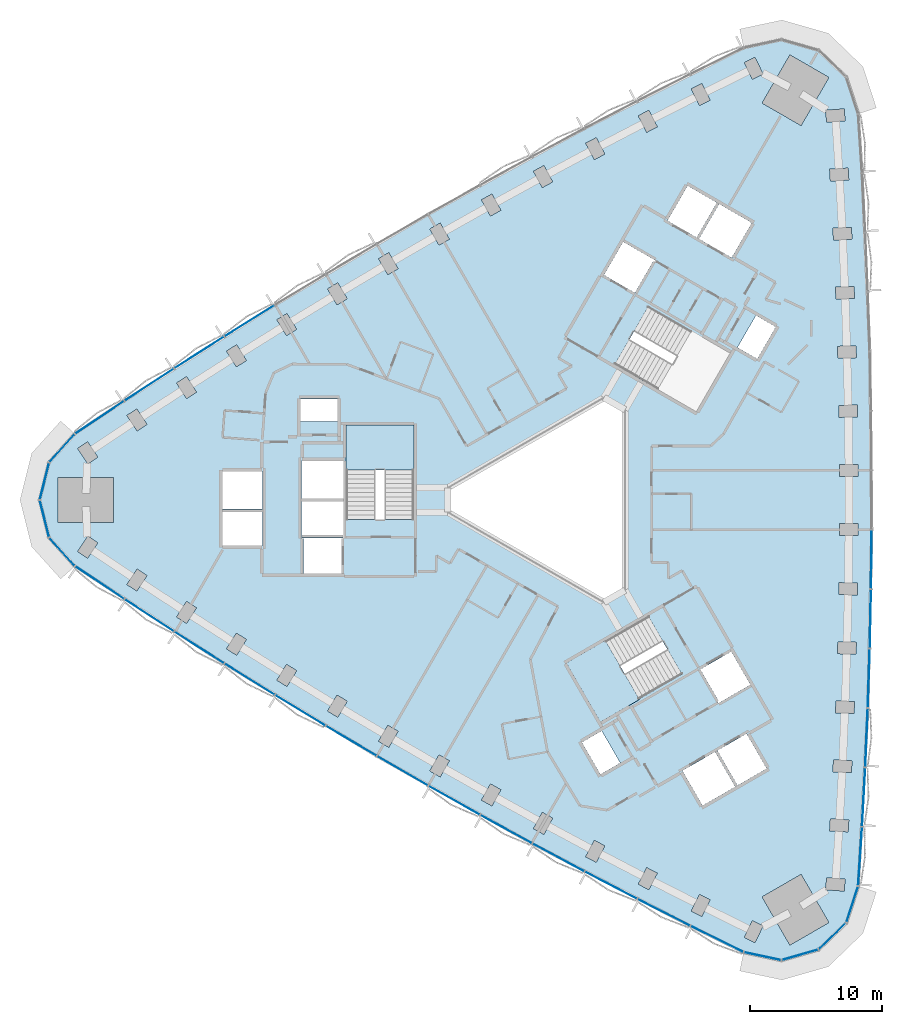
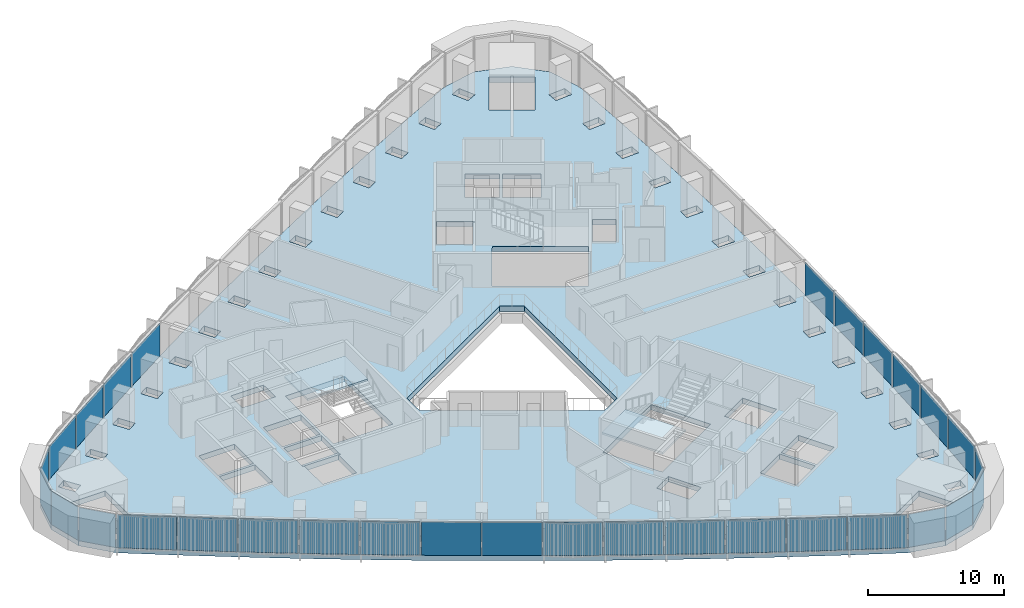
# One storey, part 6 of 15: 31 plates, 3 slabs, 5 elements without a shape of their own.
"""IFC4 building model written with IfcOpenShell, lengths in metres."""

from ifc_helpers import new_model, si_unit, direction, frame, origin, origin_2d, place, context, subcontext, project, spatial, polyline, rectangle, outline, extrude, material, layer, layer_set, type_object, element, aggregate, save


model = new_model("IFC4")

# Units and contexts
model_context = context("Model", 3, precision=1e-05, world=origin(), true_north=direction((0.0, 1.0)))
body_context = subcontext(model_context, "Body", "Model", "MODEL_VIEW")
ifc_project = project(units=[si_unit("LENGTHUNIT", "METRE"), si_unit("AREAUNIT", "SQUARE_METRE"), si_unit("VOLUMEUNIT", "CUBIC_METRE"), si_unit("PLANEANGLEUNIT", "RADIAN"), si_unit("MASSUNIT", "GRAM", prefix="KILO")], contexts=[model_context])

# Site, building, storey
site_placement = place(None, origin())
site = spatial("IfcSite", under=ifc_project, at=site_placement, CompositionType="ELEMENT")
building_placement = place(site_placement, origin())
building = spatial("IfcBuilding", under=site, at=building_placement, Name="Tamra Quay Hotel Tower", CompositionType="ELEMENT")
storey_placement = place(building_placement, frame((0.0, 0.0, 42.199951171875)))
storey = spatial("IfcBuildingStorey", under=building, at=storey_placement, Name="L08", CompositionType="ELEMENT", Elevation=42.199951171875)

# Stair, slab
ifc_material_1 = material(Name="Exit stair 2200 24 risers 150.0 going 342")
stair_type = type_object("IfcStairType", Name="Exit stair 2200 24 risers 150.0 going 342", PredefinedType="HALF_TURN_STAIR", material=ifc_material_1)
stair_1_placement = place(storey_placement, origin())
stair_1 = element("IfcStair", 1, at=stair_1_placement, inside=storey, type_object=stair_type, Name="L08 Exit stair ST3", PredefinedType="HALF_TURN_STAIR")
ifc_material_2 = material(Name="Concrete M70", Category="concrete")
ifc_layer_1 = layer(ifc_material_2, 0.175048828125)
ifc_layer_set_1 = layer_set([ifc_layer_1], Name="Concrete M70 stair landing 180")
slab_type_1 = type_object("IfcSlabType", Name="Concrete M70 stair landing 180", PredefinedType="LANDING", material=ifc_layer_set_1)
slab_1_placement = place(storey_placement, frame((0.0, 0.0, 1.625)))
slab_1 = element("IfcSlab", 2, at=slab_1_placement, type_object=slab_type_1, Name="ST3 landing 1", PredefinedType="LANDING", context=body_context, shape_type="SweptSolid", body=[
    extrude(outline(polyline([(-10.932373046875, 2.261962890625), (-10.932373046875, 5.679931640625), (-16.09130859375, 5.679931640625), (-16.09130859375, 2.261962890625), (-10.932373046875, 2.261962890625)])), origin(), (0.0, 0.0, 1.0), 0.175048828125),
])
aggregate(stair_1, [slab_1])

stair_2_placement = place(storey_placement, origin())
stair_2 = element("IfcStair", 3, at=stair_2_placement, inside=storey, type_object=stair_type, Name="L08 Exit stair ST2", PredefinedType="HALF_TURN_STAIR")
slab_2_placement = place(storey_placement, frame((0.0, 0.0, 1.625)))
slab_2 = element("IfcSlab", 4, at=slab_2_placement, type_object=slab_type_1, Name="ST2 landing 1", PredefinedType="LANDING", context=body_context, shape_type="SweptSolid", body=[
    extrude(outline(polyline([(3.50732421875, -10.5986328125), (0.547119140625, -12.3076171875), (3.126708984375, -16.775390625), (6.086669921875, -15.06640625), (3.50732421875, -10.5986328125)])), origin(), (0.0, 0.0, 1.0), 0.175048828125),
])
aggregate(stair_2, [slab_2])

# Slab
ifc_material_3 = material(Name="Concrete M60", Category="concrete")
ifc_layer_2 = layer(ifc_material_3, 0.47509765625)
ifc_layer_set_2 = layer_set([ifc_layer_2], Name="FLOOR SLAB PT 475")
slab_type_2 = type_object("IfcSlabType", Name="FLOOR SLAB PT 475", PredefinedType="FLOOR", material=ifc_layer_set_2)
slab_3_placement = place(storey_placement, frame((0.0, 0.0, -0.474853515625)))
element("IfcSlab", 5, at=slab_3_placement, inside=storey, type_object=slab_type_2, Name="SLAB-L08", PredefinedType="FLOOR", context=body_context, shape_type="SweptSolid", body=[
    extrude(outline(polyline([(22.8896484375, 24.67529296875), (23.13232421875, 20.1923828125), (23.32666015625, 15.707763671875), (23.472412109375, 11.221435546875), (23.569580078125, 6.73291015625), (23.618408203125, 2.244384765625), (23.618408203125, -2.244384765625), (23.569580078125, -6.73291015625), (23.472412109375, -11.221435546875), (23.32666015625, -15.707763671875), (23.13232421875, -20.1923828125), (22.8896484375, -24.67529296875), (22.598876953125, -29.154296875), (21.697998046875, -31.926025390625), (19.601318359375, -33.95068359375), (16.7998046875, -34.754150390625), (13.948974609375, -34.148193359375), (9.9248046875, -32.16064453125), (5.9208984375, -30.12939453125), (1.93994140625, -28.055419921875), (-2.018310546875, -25.9384765625), (-5.9541015625, -23.7783203125), (-9.865478515625, -21.576171875), (-13.752685546875, -19.331787109375), (-17.61572265625, -17.04541015625), (-21.454345703125, -14.717041015625), (-25.2666015625, -12.34765625), (-29.05322265625, -9.93701171875), (-32.814208984375, -7.4853515625), (-36.547607421875, -4.993896484375), (-38.497802734375, -2.827880859375), (-39.202880859375, 0.0), (-38.497802734375, 2.827880859375), (-36.547607421875, 4.993896484375), (-32.814208984375, 7.4853515625), (-29.05322265625, 9.93701171875), (-25.2666015625, 12.34765625), (-21.454345703125, 14.717041015625), (-17.61572265625, 17.04541015625), (-13.752685546875, 19.331787109375), (-9.865478515625, 21.576171875), (-5.9541015625, 23.7783203125), (-2.018310546875, 25.9384765625), (1.93994140625, 28.055419921875), (5.9208984375, 30.12939453125), (9.9248046875, 32.16064453125), (13.948974609375, 34.148193359375), (16.7998046875, 34.754150390625), (19.601318359375, 33.95068359375), (21.697998046875, 31.926025390625), (22.598876953125, 29.154296875), (22.8896484375, 24.67529296875)]), holes=[polyline([(-17.475830078125, -15.935791015625), (-16.70361328125, -16.39794921875), (-15.984375, -15.19677734375), (-16.756591796875, -14.734619140625), (-17.475830078125, -15.935791015625)]), polyline([(-20.56884765625, -12.416015625), (-21.3017578125, -13.60888671875), (-20.534912109375, -14.080078125), (-19.802001953125, -12.88720703125), (-20.56884765625, -12.416015625)]), polyline([(-24.357177734375, -10.05615234375), (-25.102294921875, -11.2412109375), (-24.340576171875, -11.72021484375), (-23.59521484375, -10.53515625), (-24.357177734375, -10.05615234375)]), polyline([(-28.11962890625, -7.6552734375), (-28.87744140625, -8.83251953125), (-28.12060546875, -9.319580078125), (-27.36279296875, -8.142578125), (-28.11962890625, -7.6552734375)]), polyline([(-31.854736328125, -5.21435546875), (-32.6259765625, -6.3828125), (-31.874755859375, -6.878662109375), (-31.103515625, -5.710205078125), (-31.854736328125, -5.21435546875)]), polyline([(-16.3173828125, -2.85498046875), (-19.4072265625, -2.85498046875), (-19.4072265625, -2.89306640625), (-19.307373046875, -2.89306640625), (-19.307373046875, -5.544921875), (-16.417236328125, -5.544921875), (-16.417236328125, -2.89306640625), (-16.3173828125, -2.89306640625), (-16.3173828125, -2.85498046875)]), polyline([(-35.565185546875, -2.73291015625), (-36.347900390625, -3.8935546875), (-35.601806640625, -4.396728515625), (-34.819091796875, -3.236083984375), (-35.565185546875, -2.73291015625)]), polyline([(-22.3671875, -3.445068359375), (-22.3671875, -0.905029296875), (-25.4072265625, -0.905029296875), (-25.4072265625, -3.445068359375), (-22.3671875, -3.445068359375)]), polyline([(-19.417236328125, -2.89306640625), (-19.417236328125, -2.64501953125), (-16.307373046875, -2.64501953125), (-16.307373046875, -2.89306640625), (-16.26708984375, -2.89306640625), (-16.26708984375, -0.10498046875), (-19.45751953125, -0.10498046875), (-19.45751953125, -2.89306640625), (-19.417236328125, -2.89306640625)]), polyline([(-33.62890625, 1.699951171875), (-37.828857421875, 1.699951171875), (-37.828857421875, -1.699951171875), (-33.62890625, -1.699951171875), (-33.62890625, 1.699951171875)]), polyline([(-25.4072265625, -0.695068359375), (-22.3671875, -0.695068359375), (-22.3671875, 2.14501953125), (-25.4072265625, 2.14501953125), (-25.4072265625, -0.695068359375)]), polyline([(-19.45751953125, 0.10498046875), (-16.26708984375, 0.10498046875), (-16.26708984375, 2.945068359375), (-19.45751953125, 2.945068359375), (-19.45751953125, 0.10498046875)]), polyline([(-16.036376953125, -1.455078125), (-10.9873046875, -1.455078125), (-10.9873046875, 5.625), (-16.036376953125, 5.625), (-16.036376953125, -1.455078125)]), polyline([(-34.819091796875, 3.236083984375), (-35.601806640625, 4.396728515625), (-36.347900390625, 3.8935546875), (-35.565185546875, 2.73291015625), (-34.819091796875, 3.236083984375)]), polyline([(-31.103515625, 5.710205078125), (-31.874755859375, 6.878662109375), (-32.6259765625, 6.3828125), (-31.854736328125, 5.21435546875), (-31.103515625, 5.710205078125)]), polyline([(-16.71728515625, 7.64501953125), (-19.50732421875, 7.64501953125), (-19.50732421875, 5.9150390625), (-16.71728515625, 5.9150390625), (-16.71728515625, 7.64501953125)]), polyline([(-27.36279296875, 8.142578125), (-28.12060546875, 9.319580078125), (-28.87744140625, 8.83251953125), (-28.11962890625, 7.6552734375), (-27.36279296875, 8.142578125)]), polyline([(-23.59521484375, 10.53515625), (-24.340576171875, 11.72021484375), (-25.102294921875, 11.2412109375), (-24.357177734375, 10.05615234375), (-23.59521484375, 10.53515625)]), polyline([(-19.802001953125, 12.88720703125), (-20.534912109375, 14.080078125), (-21.3017578125, 13.60888671875), (-20.56884765625, 12.416015625), (-19.802001953125, 12.88720703125)]), polyline([(-15.984375, 15.19677734375), (-16.70361328125, 16.39794921875), (-17.475830078125, 15.935791015625), (-16.756591796875, 14.734619140625), (-15.984375, 15.19677734375)]), polyline([(-12.141357421875, 17.466064453125), (-12.84765625, 18.6748046875), (-13.624755859375, 18.220703125), (-12.918212890625, 17.011962890625), (-12.141357421875, 17.466064453125)]), polyline([(10.606689453125, -29.79150390625), (9.980224609375, -31.04345703125), (10.78515625, -31.4462890625), (11.41162109375, -30.194091796875), (10.606689453125, -29.79150390625)]), polyline([(6.6298828125, -27.76806640625), (5.9892578125, -29.012939453125), (6.78955078125, -29.4248046875), (7.43017578125, -28.179931640625), (6.6298828125, -27.76806640625)]), polyline([(2.673828125, -25.70166015625), (2.02001953125, -26.939697265625), (2.81591796875, -27.35986328125), (3.4697265625, -26.121826171875), (2.673828125, -25.70166015625)]), polyline([(-1.259521484375, -23.5927734375), (-1.92626953125, -24.82373046875), (-1.134765625, -25.252197265625), (-0.46826171875, -24.021240234375), (-1.259521484375, -23.5927734375)]), polyline([(-5.168701171875, -21.44140625), (-5.849365234375, -22.664794921875), (-5.06298828125, -23.102294921875), (-4.382080078125, -21.87890625), (-5.168701171875, -21.44140625)]), polyline([(13.3056640625, -21.65576171875), (11.78564453125, -19.02294921875), (9.325927734375, -20.443115234375), (10.845947265625, -23.075927734375), (13.3056640625, -21.65576171875)]), polyline([(-9.055419921875, -19.247802734375), (-9.7490234375, -20.4638671875), (-8.96728515625, -20.90966796875), (-8.273681640625, -19.693603515625), (-9.055419921875, -19.247802734375)]), polyline([(1.73779296875, -18.300048828125), (3.1328125, -20.71630859375), (4.631103515625, -19.851318359375), (3.236083984375, -17.43505859375), (1.73779296875, -18.300048828125)]), polyline([(-12.918212890625, -17.011962890625), (-13.624755859375, -18.220703125), (-12.84765625, -18.6748046875), (-12.141357421875, -17.466064453125), (-12.918212890625, -17.011962890625)]), polyline([(10.68115234375, -12.790283203125), (12.05615234375, -15.171875), (11.969482421875, -15.2216796875), (12.03955078125, -15.343017578125), (14.455810546875, -13.947998046875), (13.0107421875, -11.4453125), (10.68115234375, -12.790283203125)]), polyline([(9.2783203125, -13.160400390625), (6.75390625, -8.78759765625), (0.622314453125, -12.32763671875), (3.146728515625, -16.7001953125), (9.2783203125, -13.160400390625)]), polyline([(3.39990234375, 7.736572265625), (-8.39990234375, 0.923828125), (-8.39990234375, -0.923828125), (3.39990234375, -7.736572265625), (5.0, -6.812744140625), (5.0, 6.812744140625), (3.39990234375, 7.736572265625)]), polyline([(6.758056640625, 14.615478515625), (4.2333984375, 10.242919921875), (10.364990234375, 6.702880859375), (12.889404296875, 11.075439453125), (6.758056640625, 14.615478515625)]), polyline([(5.736083984375, 15.645263671875), (7.111083984375, 18.02685546875), (7.19775390625, 17.976806640625), (7.267578125, 18.09814453125), (4.8515625, 19.4931640625), (3.406494140625, 16.990234375), (5.736083984375, 15.645263671875)]), polyline([(-8.273681640625, 19.693603515625), (-8.96728515625, 20.90966796875), (-9.7490234375, 20.4638671875), (-9.055419921875, 19.247802734375), (-8.273681640625, 19.693603515625)]), polyline([(8.2001953125, 21.093017578125), (10.39990234375, 19.822998046875), (11.919921875, 22.455810546875), (9.72021484375, 23.725830078125), (8.2001953125, 21.093017578125)]), polyline([(-4.382080078125, 21.87890625), (-5.06298828125, 23.102294921875), (-5.849365234375, 22.664794921875), (-5.168701171875, 21.44140625), (-4.382080078125, 21.87890625)]), polyline([(-0.46826171875, 24.021240234375), (-1.134765625, 25.252197265625), (-1.92626953125, 24.82373046875), (-1.259521484375, 23.5927734375), (-0.46826171875, 24.021240234375)]), polyline([(3.4697265625, 26.121826171875), (2.81591796875, 27.35986328125), (2.02001953125, 26.939697265625), (2.673828125, 25.70166015625), (3.4697265625, 26.121826171875)]), polyline([(7.43017578125, 28.179931640625), (6.78955078125, 29.4248046875), (5.9892578125, 29.012939453125), (6.6298828125, 27.76806640625), (7.43017578125, 28.179931640625)]), polyline([(11.41162109375, 30.194091796875), (10.78515625, 31.4462890625), (9.980224609375, 31.04345703125), (10.606689453125, 29.79150390625), (11.41162109375, 30.194091796875)]), polyline([(14.60693359375, -31.772216796875), (13.993408203125, -33.030517578125), (14.80224609375, -33.425048828125), (15.416015625, -32.166748046875), (14.60693359375, -31.772216796875)]), polyline([(15.34228515625, -29.973388671875), (17.442138671875, -33.61083984375), (20.38671875, -31.910888671875), (18.28662109375, -28.2734375), (15.34228515625, -29.973388671875)]), polyline([(20.1494140625, -29.43408203125), (21.5458984375, -29.53173828125), (21.608642578125, -28.6337890625), (20.212158203125, -28.5361328125), (20.1494140625, -29.43408203125)]), polyline([(20.443115234375, -24.979736328125), (21.840576171875, -25.0634765625), (21.894287109375, -24.1650390625), (20.496826171875, -24.081298828125), (20.443115234375, -24.979736328125)]), polyline([(20.689453125, -20.524658203125), (22.087890625, -20.59228515625), (22.13134765625, -19.693359375), (20.73291015625, -19.625732421875), (20.689453125, -20.524658203125)]), polyline([(14.1669921875, -17.648193359375), (11.96728515625, -18.91796875), (13.487548828125, -21.55078125), (15.68701171875, -20.281005859375), (14.1669921875, -17.648193359375)]), polyline([(20.887451171875, -16.06591796875), (22.286376953125, -16.11865234375), (22.3203125, -15.219482421875), (20.92138671875, -15.16650390625), (20.887451171875, -16.06591796875)]), polyline([(21.037109375, -11.60498046875), (22.4365234375, -11.643310546875), (22.461181640625, -10.74365234375), (21.0615234375, -10.70556640625), (21.037109375, -11.60498046875)]), polyline([(21.138916015625, -7.144287109375), (22.538818359375, -7.16650390625), (22.552978515625, -6.2666015625), (21.153076171875, -6.244384765625), (21.138916015625, -7.144287109375)]), polyline([(21.19189453125, -2.681640625), (22.591796875, -2.68896484375), (22.5966796875, -1.7890625), (21.19677734375, -1.781494140625), (21.19189453125, -2.681640625)]), polyline([(21.19677734375, 1.781494140625), (22.5966796875, 1.7890625), (22.591796875, 2.68896484375), (21.19189453125, 2.681640625), (21.19677734375, 1.781494140625)]), polyline([(21.153076171875, 6.244384765625), (22.552978515625, 6.2666015625), (22.538818359375, 7.16650390625), (21.138916015625, 7.144287109375), (21.153076171875, 6.244384765625)]), polyline([(21.0615234375, 10.70556640625), (22.461181640625, 10.74365234375), (22.4365234375, 11.643310546875), (21.037109375, 11.60498046875), (21.0615234375, 10.70556640625)]), polyline([(14.9794921875, 10.655029296875), (16.37451171875, 13.0712890625), (14.876220703125, 13.936279296875), (13.481201171875, 11.52001953125), (14.9794921875, 10.655029296875)]), polyline([(20.92138671875, 15.16650390625), (22.3203125, 15.219482421875), (22.286376953125, 16.11865234375), (20.887451171875, 16.06591796875), (20.92138671875, 15.16650390625)]), polyline([(20.73291015625, 19.625732421875), (22.13134765625, 19.693359375), (22.087890625, 20.59228515625), (20.689453125, 20.524658203125), (20.73291015625, 19.625732421875)]), polyline([(12.101806640625, 22.350830078125), (10.58154296875, 19.718017578125), (13.041259765625, 18.298095703125), (14.561279296875, 20.930908203125), (12.101806640625, 22.350830078125)]), polyline([(20.496826171875, 24.081298828125), (21.894287109375, 24.1650390625), (21.840576171875, 25.0634765625), (20.443115234375, 24.979736328125), (20.496826171875, 24.081298828125)]), polyline([(20.212158203125, 28.5361328125), (21.608642578125, 28.6337890625), (21.5458984375, 29.53173828125), (20.1494140625, 29.43408203125), (20.212158203125, 28.5361328125)]), polyline([(18.28662109375, 28.2734375), (20.38671875, 31.910888671875), (17.442138671875, 33.61083984375), (15.34228515625, 29.973388671875), (18.28662109375, 28.2734375)]), polyline([(15.416015625, 32.166748046875), (14.80224609375, 33.425048828125), (13.993408203125, 33.030517578125), (14.60693359375, 31.772216796875), (15.416015625, 32.166748046875)])]), origin(), (0.0, 0.0, 1.0), 0.474853515625),
])

# Curtain wall, plates
ifc_material_4 = material(Name="Aluminium 6063 anodised dark grey", Category="aluminium")
curtain_wall_type_1 = type_object("IfcCurtainWallType", Name="CW1 CURTAIN WALL", PredefinedType="NOTDEFINED", material=ifc_material_4)
curtain_wall_1_placement = place(storey_placement, origin())
curtain_wall_1 = element("IfcCurtainWall", 6, at=curtain_wall_1_placement, inside=storey, type_object=curtain_wall_type_1, Name="CW1 east face L08", PredefinedType="NOTDEFINED")
ifc_material_5 = material(Name="Glass clear laminated low-iron", Category="glass")
ifc_layer_3 = layer(ifc_material_5, 0.035888671875)
ifc_layer_set_3 = layer_set([ifc_layer_3], Name="GLASS PANEL CW1 Z1")
plate_type_1 = type_object("IfcPlateType", Name="GLASS PANEL CW1 Z1", PredefinedType="CURTAIN_PANEL", material=ifc_layer_set_3)
plate_1_placement = place(storey_placement, frame((22.744140625, -26.914794921875, 0.0), z_axis=(0.0, 0.0, 1.0), x_axis=(0.064813190551, 0.997897414733, 0.0)))
plate_1 = element("IfcPlate", 7, at=plate_1_placement, type_object=plate_type_1, Name="CW1 glass L08.E.1", PredefinedType="CURTAIN_PANEL", context=body_context, shape_type="SweptSolid", body=[
    extrude(rectangle(XDim=4.38818359375, YDim=0.035888671875, at=origin_2d()), origin(), (0.0, 0.0, 1.0), 2.985107421875),
])
plate_2_placement = place(storey_placement, frame((23.010986328125, -22.433837890625, 0.0), z_axis=(0.0, 0.0, 1.0), x_axis=(0.054062166947, 0.998537571704, 0.0)))
plate_2 = element("IfcPlate", 8, at=plate_2_placement, type_object=plate_type_1, Name="CW1 glass L08.E.2", PredefinedType="CURTAIN_PANEL", context=body_context, shape_type="SweptSolid", body=[
    extrude(rectangle(XDim=4.3896484375, YDim=0.035888671875, at=origin_2d()), origin(), (0.0, 0.0, 1.0), 2.985107421875),
])
plate_3_placement = place(storey_placement, frame((23.2294921875, -17.949951171875, 0.0), z_axis=(0.0, 0.0, 1.0), x_axis=(0.04328585604, 0.999062728094, 0.0)))
plate_3 = element("IfcPlate", 9, at=plate_3_placement, type_object=plate_type_1, Name="CW1 glass L08.E.3", PredefinedType="CURTAIN_PANEL", context=body_context, shape_type="SweptSolid", body=[
    extrude(rectangle(XDim=4.388671875, YDim=0.035888671875, at=origin_2d()), origin(), (0.0, 0.0, 1.0), 2.985107421875),
])
plate_4_placement = place(storey_placement, frame((23.399658203125, -13.464599609375, 0.0), z_axis=(0.0, 0.0, 1.0), x_axis=(0.032474671117, 0.999472558771, 0.0)))
plate_4 = element("IfcPlate", 10, at=plate_4_placement, type_object=plate_type_1, Name="CW1 glass L08.E.4", PredefinedType="CURTAIN_PANEL", context=body_context, shape_type="SweptSolid", body=[
    extrude(rectangle(XDim=4.388671875, YDim=0.035888671875, at=origin_2d()), origin(), (0.0, 0.0, 1.0), 2.985107421875),
])
plate_5_placement = place(storey_placement, frame((23.52099609375, -8.97705078125, 0.0), z_axis=(0.0, 0.0, 1.0), x_axis=(0.021657653853, 0.999765445507, 0.0)))
plate_5 = element("IfcPlate", 11, at=plate_5_placement, type_object=plate_type_1, Name="CW1 glass L08.E.5", PredefinedType="CURTAIN_PANEL", context=body_context, shape_type="SweptSolid", body=[
    extrude(rectangle(XDim=4.3896484375, YDim=0.035888671875, at=origin_2d()), origin(), (0.0, 0.0, 1.0), 2.985107421875),
])
plate_6_placement = place(storey_placement, frame((23.593994140625, -4.488525390625, 0.0), z_axis=(0.0, 0.0, 1.0), x_axis=(0.010836354168, 0.99994128499, 0.0)))
plate_6 = element("IfcPlate", 12, at=plate_6_placement, type_object=plate_type_1, Name="CW1 glass L08.E.6", PredefinedType="CURTAIN_PANEL", context=body_context, shape_type="SweptSolid", body=[
    extrude(rectangle(XDim=4.388671875, YDim=0.035888671875, at=origin_2d()), origin(), (0.0, 0.0, 1.0), 2.985107421875),
])
aggregate(curtain_wall_1, [plate_1, plate_2, plate_3, plate_4, plate_5, plate_6])

curtain_wall_type_2 = type_object("IfcCurtainWallType", Name="CW2 CURTAIN WALL", PredefinedType="NOTDEFINED", material=ifc_material_4)
curtain_wall_2_placement = place(storey_placement, origin())
curtain_wall_2 = element("IfcCurtainWall", 13, at=curtain_wall_2_placement, inside=storey, type_object=curtain_wall_type_2, Name="CW2 north-west face L08", PredefinedType="NOTDEFINED")
ifc_layer_4 = layer(ifc_material_5, 0.035888671875)
ifc_layer_set_4 = layer_set([ifc_layer_4], Name="GLASS PANEL CW2 Z1")
plate_type_2 = type_object("IfcPlateType", Name="GLASS PANEL CW2 Z1", PredefinedType="CURTAIN_PANEL", material=ifc_layer_set_4)
plate_7_placement = place(storey_placement, frame((-23.360595703125, 13.5322265625, 0.0), z_axis=(0.0, 0.0, 1.0), x_axis=(-0.849331290722, -0.527860169552, 0.0)))
plate_7 = element("IfcPlate", 14, at=plate_7_placement, type_object=plate_type_2, Name="CW2 glass L08.NW.10", PredefinedType="CURTAIN_PANEL", context=body_context, shape_type="SweptSolid", body=[
    extrude(rectangle(XDim=4.388671875, YDim=0.035888671875, at=origin_2d()), origin(), (0.0, 0.0, 1.0), 2.985107421875),
])
plate_8_placement = place(storey_placement, frame((-27.159912109375, 11.142333984375, 0.0), z_axis=(0.0, 0.0, 1.0), x_axis=(-0.843570774484, -0.537018015002, 0.0)))
plate_8 = element("IfcPlate", 15, at=plate_8_placement, type_object=plate_type_2, Name="CW2 glass L08.NW.11", PredefinedType="CURTAIN_PANEL", context=body_context, shape_type="SweptSolid", body=[
    extrude(rectangle(XDim=4.388671875, YDim=0.035888671875, at=origin_2d()), origin(), (0.0, 0.0, 1.0), 2.985107421875),
])
plate_9_placement = place(storey_placement, frame((-30.933837890625, 8.711181640625, 0.0), z_axis=(0.0, 0.0, 1.0), x_axis=(-0.837727820256, -0.546087995811, 0.0)))
plate_9 = element("IfcPlate", 16, at=plate_9_placement, type_object=plate_type_2, Name="CW2 glass L08.NW.12", PredefinedType="CURTAIN_PANEL", context=body_context, shape_type="SweptSolid", body=[
    extrude(rectangle(XDim=4.3896484375, YDim=0.035888671875, at=origin_2d()), origin(), (0.0, 0.0, 1.0), 2.985107421875),
])
plate_10_placement = place(storey_placement, frame((-34.680908203125, 6.23974609375, 0.0), z_axis=(0.0, 0.0, 1.0), x_axis=(-0.831797916254, -0.555078576884, 0.0)))
plate_10 = element("IfcPlate", 17, at=plate_10_placement, type_object=plate_type_2, Name="CW2 glass L08.NW.13", PredefinedType="CURTAIN_PANEL", context=body_context, shape_type="SweptSolid", body=[
    extrude(rectangle(XDim=4.38818359375, YDim=0.035888671875, at=origin_2d()), origin(), (0.0, 0.0, 1.0), 2.985107421875),
])
plate_11_placement = place(storey_placement, frame((-37.522705078125, 3.910888671875, 0.0), z_axis=(0.0, 0.0, 1.0), x_axis=(-0.669112198553, -0.743161399527, 0.0)))
plate_11 = element("IfcPlate", 18, at=plate_11_placement, type_object=plate_type_2, Name="CW2 glass L08.NW.14", PredefinedType="CURTAIN_PANEL", context=body_context, shape_type="SweptSolid", body=[
    extrude(rectangle(XDim=2.814697265625, YDim=0.035888671875, at=origin_2d()), origin(), (0.0, 0.0, 1.0), 2.985107421875),
])
plate_12_placement = place(storey_placement, frame((-38.850341796875, 1.4140625, 0.0), z_axis=(0.0, 0.0, 1.0), x_axis=(-0.241913884219, -0.970297723702, 0.0)))
plate_12 = element("IfcPlate", 19, at=plate_12_placement, type_object=plate_type_2, Name="CW2 glass L08.NW.15", PredefinedType="CURTAIN_PANEL", context=body_context, shape_type="SweptSolid", body=[
    extrude(rectangle(XDim=2.814697265625, YDim=0.035888671875, at=origin_2d()), origin(), (0.0, 0.0, 1.0), 2.985107421875),
])
plate_13_placement = place(storey_placement, frame((-38.850341796875, -1.4140625, 0.0), z_axis=(0.0, 0.0, 1.0), x_axis=(0.24191388422, -0.970297723702, 0.0)))
plate_13 = element("IfcPlate", 20, at=plate_13_placement, type_object=plate_type_2, Name="CW2 glass L08.NW.16", PredefinedType="CURTAIN_PANEL", context=body_context, shape_type="SweptSolid", body=[
    extrude(rectangle(XDim=2.814697265625, YDim=0.035888671875, at=origin_2d()), origin(), (0.0, 0.0, 1.0), 2.985107421875),
])
plate_14_placement = place(storey_placement, frame((-37.522705078125, -3.910888671875, 0.0), z_axis=(0.0, 0.0, 1.0), x_axis=(0.669112198553, -0.743161399527, 0.0)))
plate_14 = element("IfcPlate", 21, at=plate_14_placement, type_object=plate_type_2, Name="CW2 glass L08.NW.17", PredefinedType="CURTAIN_PANEL", context=body_context, shape_type="SweptSolid", body=[
    extrude(rectangle(XDim=2.814697265625, YDim=0.035888671875, at=origin_2d()), origin(), (0.0, 0.0, 1.0), 2.985107421875),
])
aggregate(curtain_wall_2, [plate_7, plate_8, plate_9, plate_10, plate_11, plate_12, plate_13, plate_14])

curtain_wall_type_3 = type_object("IfcCurtainWallType", Name="CW3 CURTAIN WALL", PredefinedType="NOTDEFINED", material=ifc_material_4)
curtain_wall_3_placement = place(storey_placement, origin())
curtain_wall_3 = element("IfcCurtainWall", 22, at=curtain_wall_3_placement, inside=storey, type_object=curtain_wall_type_3, Name="CW3 south-west face L08", PredefinedType="NOTDEFINED")
ifc_layer_5 = layer(ifc_material_5, 0.035888671875)
ifc_layer_set_5 = layer_set([ifc_layer_5], Name="GLASS PANEL CW3 Z1")
plate_type_3 = type_object("IfcPlateType", Name="GLASS PANEL CW3 Z1", PredefinedType="CURTAIN_PANEL", material=ifc_layer_set_5)
plate_15_placement = place(storey_placement, frame((-34.680908203125, -6.23974609375, 0.0), z_axis=(0.0, 0.0, 1.0), x_axis=(0.831797916254, -0.555078576884, 0.0)))
plate_15 = element("IfcPlate", 23, at=plate_15_placement, type_object=plate_type_3, Name="CW3 glass L08.SW.1", PredefinedType="CURTAIN_PANEL", context=body_context, shape_type="SweptSolid", body=[
    extrude(rectangle(XDim=4.38818359375, YDim=0.035888671875, at=origin_2d()), origin(), (0.0, 0.0, 1.0), 2.985107421875),
])
plate_16_placement = place(storey_placement, frame((-30.933837890625, -8.711181640625, 0.0), z_axis=(0.0, 0.0, 1.0), x_axis=(0.837727820256, -0.546087995811, 0.0)))
plate_16 = element("IfcPlate", 24, at=plate_16_placement, type_object=plate_type_3, Name="CW3 glass L08.SW.2", PredefinedType="CURTAIN_PANEL", context=body_context, shape_type="SweptSolid", body=[
    extrude(rectangle(XDim=4.3896484375, YDim=0.035888671875, at=origin_2d()), origin(), (0.0, 0.0, 1.0), 2.985107421875),
])
plate_17_placement = place(storey_placement, frame((-27.159912109375, -11.142333984375, 0.0), z_axis=(0.0, 0.0, 1.0), x_axis=(0.843570774484, -0.537018015002, 0.0)))
plate_17 = element("IfcPlate", 25, at=plate_17_placement, type_object=plate_type_3, Name="CW3 glass L08.SW.3", PredefinedType="CURTAIN_PANEL", context=body_context, shape_type="SweptSolid", body=[
    extrude(rectangle(XDim=4.388671875, YDim=0.035888671875, at=origin_2d()), origin(), (0.0, 0.0, 1.0), 2.985107421875),
])
plate_18_placement = place(storey_placement, frame((-23.360595703125, -13.5322265625, 0.0), z_axis=(0.0, 0.0, 1.0), x_axis=(0.849331290722, -0.527860169552, 0.0)))
plate_18 = element("IfcPlate", 26, at=plate_18_placement, type_object=plate_type_3, Name="CW3 glass L08.SW.4", PredefinedType="CURTAIN_PANEL", context=body_context, shape_type="SweptSolid", body=[
    extrude(rectangle(XDim=4.388671875, YDim=0.035888671875, at=origin_2d()), origin(), (0.0, 0.0, 1.0), 2.985107421875),
])
plate_19_placement = place(storey_placement, frame((-19.534912109375, -15.88134765625, 0.0), z_axis=(0.0, 0.0, 1.0), x_axis=(0.854993446708, -0.518638801177, 0.0)))
plate_19 = element("IfcPlate", 27, at=plate_19_placement, type_object=plate_type_3, Name="CW3 glass L08.SW.5", PredefinedType="CURTAIN_PANEL", context=body_context, shape_type="SweptSolid", body=[
    extrude(rectangle(XDim=4.3896484375, YDim=0.035888671875, at=origin_2d()), origin(), (0.0, 0.0, 1.0), 2.985107421875),
])
plate_20_placement = place(storey_placement, frame((-15.684326171875, -18.188720703125, 0.0), z_axis=(0.0, 0.0, 1.0), x_axis=(0.860556378011, -0.509355200489, 0.0)))
plate_20 = element("IfcPlate", 28, at=plate_20_placement, type_object=plate_type_3, Name="CW3 glass L08.SW.6", PredefinedType="CURTAIN_PANEL", context=body_context, shape_type="SweptSolid", body=[
    extrude(rectangle(XDim=4.388671875, YDim=0.035888671875, at=origin_2d()), origin(), (0.0, 0.0, 1.0), 2.985107421875),
])
plate_21_placement = place(storey_placement, frame((-11.80908203125, -20.4541015625, 0.0), z_axis=(0.0, 0.0, 1.0), x_axis=(0.866025403784, -0.5, 0.0)))
plate_21 = element("IfcPlate", 29, at=plate_21_placement, type_object=plate_type_3, Name="CW3 glass L08.SW.7", PredefinedType="CURTAIN_PANEL", context=body_context, shape_type="SweptSolid", body=[
    extrude(rectangle(XDim=4.388671875, YDim=0.035888671875, at=origin_2d()), origin(), (0.0, 0.0, 1.0), 2.985107421875),
])
plate_22_placement = place(storey_placement, frame((-7.90966796875, -22.67724609375, 0.0), z_axis=(0.0, 0.0, 1.0), x_axis=(0.871392732178, -0.490586084502, 0.0)))
plate_22 = element("IfcPlate", 30, at=plate_22_placement, type_object=plate_type_3, Name="CW3 glass L08.SW.8", PredefinedType="CURTAIN_PANEL", context=body_context, shape_type="SweptSolid", body=[
    extrude(rectangle(XDim=4.388671875, YDim=0.035888671875, at=origin_2d()), origin(), (0.0, 0.0, 1.0), 2.985107421875),
])
plate_23_placement = place(storey_placement, frame((-3.986083984375, -24.8583984375, 0.0), z_axis=(0.0, 0.0, 1.0), x_axis=(0.876651100562, -0.48112664433, 0.0)))
plate_23 = element("IfcPlate", 31, at=plate_23_placement, type_object=plate_type_3, Name="CW3 glass L08.SW.9", PredefinedType="CURTAIN_PANEL", context=body_context, shape_type="SweptSolid", body=[
    extrude(rectangle(XDim=4.3896484375, YDim=0.035888671875, at=origin_2d()), origin(), (0.0, 0.0, 1.0), 2.985107421875),
])
plate_24_placement = place(storey_placement, frame((-0.0390625, -26.996826171875, 0.0), z_axis=(0.0, 0.0, 1.0), x_axis=(0.88180596184, -0.471612389218, 0.0)))
plate_24 = element("IfcPlate", 32, at=plate_24_placement, type_object=plate_type_3, Name="CW3 glass L08.SW.10", PredefinedType="CURTAIN_PANEL", context=body_context, shape_type="SweptSolid", body=[
    extrude(rectangle(XDim=4.388671875, YDim=0.035888671875, at=origin_2d()), origin(), (0.0, 0.0, 1.0), 2.985107421875),
])
plate_25_placement = place(storey_placement, frame((3.930419921875, -29.09228515625, 0.0), z_axis=(0.0, 0.0, 1.0), x_axis=(0.886856630524, -0.462044713092, 0.0)))
plate_25 = element("IfcPlate", 33, at=plate_25_placement, type_object=plate_type_3, Name="CW3 glass L08.SW.11", PredefinedType="CURTAIN_PANEL", context=body_context, shape_type="SweptSolid", body=[
    extrude(rectangle(XDim=4.388671875, YDim=0.035888671875, at=origin_2d()), origin(), (0.0, 0.0, 1.0), 2.985107421875),
])
plate_26_placement = place(storey_placement, frame((7.9228515625, -31.14501953125, 0.0), z_axis=(0.0, 0.0, 1.0), x_axis=(0.891789987202, -0.452449575893, 0.0)))
plate_26 = element("IfcPlate", 34, at=plate_26_placement, type_object=plate_type_3, Name="CW3 glass L08.SW.12", PredefinedType="CURTAIN_PANEL", context=body_context, shape_type="SweptSolid", body=[
    extrude(rectangle(XDim=4.3896484375, YDim=0.035888671875, at=origin_2d()), origin(), (0.0, 0.0, 1.0), 2.985107421875),
])
plate_27_placement = place(storey_placement, frame((11.936767578125, -33.154541015625, 0.0), z_axis=(0.0, 0.0, 1.0), x_axis=(0.896611106805, -0.442818837849, 0.0)))
plate_27 = element("IfcPlate", 35, at=plate_27_placement, type_object=plate_type_3, Name="CW3 glass L08.SW.13", PredefinedType="CURTAIN_PANEL", context=body_context, shape_type="SweptSolid", body=[
    extrude(rectangle(XDim=4.38818359375, YDim=0.035888671875, at=origin_2d()), origin(), (0.0, 0.0, 1.0), 2.985107421875),
])
plate_28_placement = place(storey_placement, frame((15.374267578125, -34.451171875, 0.0), z_axis=(0.0, 0.0, 1.0), x_axis=(0.978152750379, -0.207887462165, 0.0)))
plate_28 = element("IfcPlate", 36, at=plate_28_placement, type_object=plate_type_3, Name="CW3 glass L08.SW.14", PredefinedType="CURTAIN_PANEL", context=body_context, shape_type="SweptSolid", body=[
    extrude(rectangle(XDim=2.814697265625, YDim=0.035888671875, at=origin_2d()), origin(), (0.0, 0.0, 1.0), 2.985107421875),
])
plate_29_placement = place(storey_placement, frame((18.20068359375, -34.352294921875, 0.0), z_axis=(0.0, 0.0, 1.0), x_axis=(0.96125942007, 0.275645292589, 0.0)))
plate_29 = element("IfcPlate", 37, at=plate_29_placement, type_object=plate_type_3, Name="CW3 glass L08.SW.15", PredefinedType="CURTAIN_PANEL", context=body_context, shape_type="SweptSolid", body=[
    extrude(rectangle(XDim=2.814697265625, YDim=0.035888671875, at=origin_2d()), origin(), (0.0, 0.0, 1.0), 2.985107421875),
])
plate_30_placement = place(storey_placement, frame((20.649658203125, -32.9384765625, 0.0), z_axis=(0.0, 0.0, 1.0), x_axis=(0.719345535851, 0.694652431113, 0.0)))
plate_30 = element("IfcPlate", 38, at=plate_30_placement, type_object=plate_type_3, Name="CW3 glass L08.SW.16", PredefinedType="CURTAIN_PANEL", context=body_context, shape_type="SweptSolid", body=[
    extrude(rectangle(XDim=2.814697265625, YDim=0.035888671875, at=origin_2d()), origin(), (0.0, 0.0, 1.0), 2.985107421875),
])
plate_31_placement = place(storey_placement, frame((22.1484375, -30.5400390625, 0.0), z_axis=(0.0, 0.0, 1.0), x_axis=(0.309040551826, 0.951048861693, 0.0)))
plate_31 = element("IfcPlate", 39, at=plate_31_placement, type_object=plate_type_3, Name="CW3 glass L08.SW.17", PredefinedType="CURTAIN_PANEL", context=body_context, shape_type="SweptSolid", body=[
    extrude(rectangle(XDim=2.814697265625, YDim=0.035888671875, at=origin_2d()), origin(), (0.0, 0.0, 1.0), 2.985107421875),
])
aggregate(curtain_wall_3, [plate_15, plate_16, plate_17, plate_18, plate_19, plate_20, plate_21, plate_22, plate_23, plate_24, plate_25, plate_26, plate_27, plate_28, plate_29, plate_30, plate_31])

save(model, "model.ifc")
